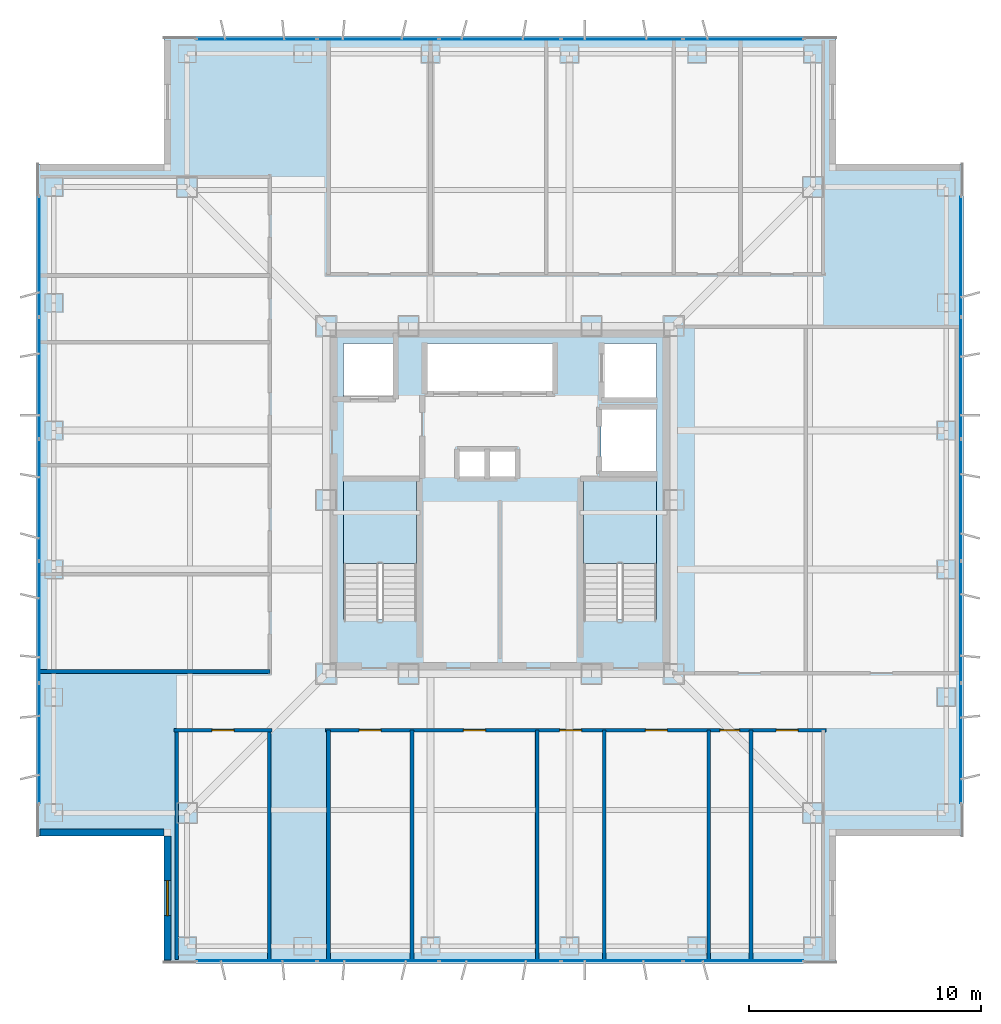
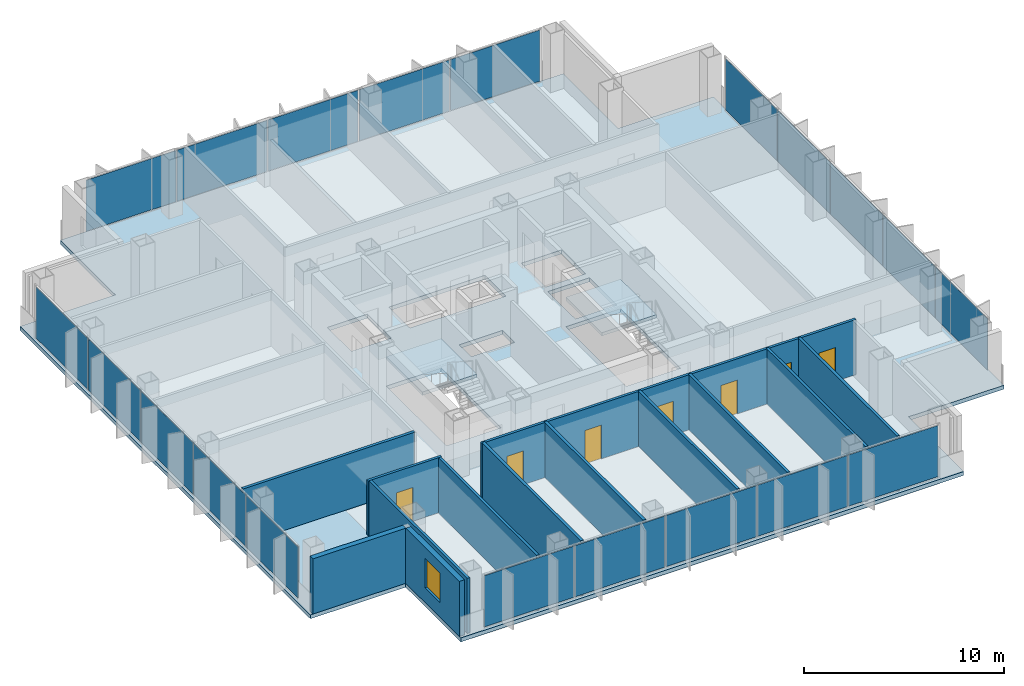
# One storey, part 10 of 18: 20 plates, 13 walls, 7 doors, 3 slabs, 1 window, 8 openings, 6 elements without a shape of their own.
"""IFC4 building model written with IfcOpenShell, lengths in metres."""

import ifcopenshell
import ifcopenshell.guid

model = None  # the IFC model being written
_history = None  # IfcOwnerHistory: only IFC2X3 demands one
_inside = {}  # id of a spatial element -> (the spatial element, [elements in it])
_under = {}  # id of a project, library or spatial element -> (it, [spatial elements below it])
_declared = {}  # id of a project -> (the project, [libraries it declares])
_typed = {}  # id of a type object -> (the type object, [elements of that type])
_made_of = {}  # id of a material, layer set ... -> (it, [elements and type objects made of it])


def new_model(schema):
    """Start an empty IFC model of exactly this schema.

    Asked for "IFC4X3", IfcOpenShell would pick the latest addendum, in which some entities
    have other attributes; the version numbers below select the first issue.
    IFC2X3 requires an IfcOwnerHistory on every rooted entity: one is made here for all.
    """
    global model, _history
    if schema == "IFC4X3":
        model = ifcopenshell.file(schema_version=(4, 3, 0, 0))
    else:
        model = ifcopenshell.file(schema=schema)
    _inside.clear()
    _under.clear()
    _declared.clear()
    _typed.clear()
    _made_of.clear()
    _history = None
    if model.schema == "IFC2X3":
        org = make("IfcOrganization", Name="unknown")
        user = make(
            "IfcPersonAndOrganization",
            ThePerson=make("IfcPerson", FamilyName="unknown"),
            TheOrganization=org,
        )
        app = make(
            "IfcApplication",
            ApplicationDeveloper=org,
            Version="unknown",
            ApplicationFullName="unknown",
            ApplicationIdentifier="unknown",
        )
        _history = make(
            "IfcOwnerHistory",
            OwningUser=user,
            OwningApplication=app,
            ChangeAction="ADDED",
            CreationDate=0,
        )
    return model


def make(cls, **values):
    """One entity of the class cls with the attributes given. An attribute that is None is left unset."""
    return model.create_entity(
        cls, **{name: value for name, value in values.items() if value is not None}
    )


def rooted(cls, **values):
    """An entity with a GlobalId (a new one), such as an element, a storey or a relation."""
    return make(cls, GlobalId=ifcopenshell.guid.new(), OwnerHistory=_history, **values)


def si_unit(unit_type, name, prefix=None):
    """IfcSIUnit, for example si_unit("LENGTHUNIT", "METRE", prefix="MILLI")."""
    return make("IfcSIUnit", UnitType=unit_type, Prefix=prefix, Name=name)


def assignment(units):
    """IfcUnitAssignment: the units of a project."""
    return None if units is None else make("IfcUnitAssignment", Units=units)


def point(xyz):
    """IfcCartesianPoint."""
    return None if xyz is None else make("IfcCartesianPoint", Coordinates=xyz)


def direction(xyz):
    """IfcDirection."""
    return None if xyz is None else make("IfcDirection", DirectionRatios=xyz)


def frame(location, z_axis=None, x_axis=None):
    """IfcAxis2Placement3D, a coordinate frame: its origin and axes. An axis left out is left unset."""
    return make(
        "IfcAxis2Placement3D",
        Location=point(location),
        Axis=direction(z_axis),
        RefDirection=direction(x_axis),
    )


def frame_2d(location, x_axis=None):
    """IfcAxis2Placement2D, a coordinate frame in the plane: its origin and x axis."""
    return make(
        "IfcAxis2Placement2D", Location=point(location), RefDirection=direction(x_axis)
    )


def origin():
    """The frame at (0, 0, 0) with its axes left unset."""
    return frame((0.0, 0.0, 0.0))


def origin_2d():
    """The frame at (0, 0) in the plane with its x axis left unset."""
    return frame_2d((0.0, 0.0))


def place(relative_to, where):
    """IfcLocalPlacement: puts the frame where relative to a parent placement (None: the world)."""
    return make(
        "IfcLocalPlacement", PlacementRelTo=relative_to, RelativePlacement=where
    )


def context(
    kind, dimensions, precision=None, world=None, true_north=None, identifier=None
):
    """IfcGeometricRepresentationContext, for example the 3D "Model" context."""
    return make(
        "IfcGeometricRepresentationContext",
        ContextIdentifier=identifier,
        ContextType=kind,
        CoordinateSpaceDimension=dimensions,
        Precision=precision,
        WorldCoordinateSystem=world,
        TrueNorth=true_north,
    )


def subcontext(parent, identifier, kind, view, scale=None):
    """IfcGeometricRepresentationSubContext, for example "Body" below "Model"."""
    return make(
        "IfcGeometricRepresentationSubContext",
        ContextIdentifier=identifier,
        ContextType=kind,
        ParentContext=parent,
        TargetScale=scale,
        TargetView=view,
    )


def project(units=None, contexts=None):
    """IfcProject with its units and contexts."""
    return rooted(
        "IfcProject",
        Name="project",
        RepresentationContexts=contexts,
        UnitsInContext=assignment(units),
    )


def spatial(cls, under=None, at=None, **own):
    """A site, building, storey or space (cls), placed at a placement, below another one or the project."""
    s = rooted(cls, ObjectPlacement=at, **own)
    if under is not None:
        _under.setdefault(under.id(), (under, []))[1].append(s)
    return s


def polyline(points):
    """IfcPolyline through the points."""
    return make("IfcPolyline", Points=[point(p) for p in points])


def profile(cls, at=None, kind="AREA", **sizes):
    """A parametric profile (cls). Its sizes go by their IFC names, for example OverallWidth=200.0."""
    return make(cls, ProfileType=kind, Position=at, **sizes)


def rectangle(**sizes):
    """IfcRectangleProfileDef."""
    return profile("IfcRectangleProfileDef", **sizes)


def outline(outer, holes=None, kind="AREA"):
    """IfcArbitraryClosedProfileDef: a profile drawn as a closed curve; with holes, ...WithVoids."""
    if holes is None:
        return make("IfcArbitraryClosedProfileDef", ProfileType=kind, OuterCurve=outer)
    return make(
        "IfcArbitraryProfileDefWithVoids",
        ProfileType=kind,
        OuterCurve=outer,
        InnerCurves=holes,
    )


def extrude(swept, where, along, depth):
    """IfcExtrudedAreaSolid: the profile swept, set in the frame where, extruded along a direction by depth."""
    return make(
        "IfcExtrudedAreaSolid",
        SweptArea=swept,
        Position=where,
        ExtrudedDirection=direction(along),
        Depth=depth,
    )


def shape(context_of_items, identifier, shape_type, items):
    """IfcShapeRepresentation: the items that make up one representation, for example the "Body"."""
    return make(
        "IfcShapeRepresentation",
        ContextOfItems=context_of_items,
        RepresentationIdentifier=identifier,
        RepresentationType=shape_type,
        Items=items,
    )


def material(Name=None, Category=None):
    """IfcMaterial."""
    return make("IfcMaterial", Name=Name, Category=Category)


def layer(
    of_material, thickness, ventilated=None, Name=None, Category=None, Priority=None
):
    """IfcMaterialLayer: one layer of a wall or slab, of a material (None: an air gap)."""
    return make(
        "IfcMaterialLayer",
        Material=of_material,
        LayerThickness=thickness,
        IsVentilated=ventilated,
        Name=Name,
        Category=Category,
        Priority=Priority,
    )


def layer_set(layers, Name=None):
    """IfcMaterialLayerSet."""
    return make("IfcMaterialLayerSet", MaterialLayers=layers, LayerSetName=Name)


def made_of(thing, what):
    """Note that an element or type object is made of a material, layer set ...; save() writes the relation."""
    if what is not None:
        _made_of.setdefault(what.id(), (what, []))[1].append(thing)
    return thing


def type_object(cls, material=None, **own):
    """A type object (cls), such as IfcWallType, which elements share."""
    return made_of(rooted(cls, **own), material)


def element(
    cls,
    number,
    at=None,
    inside=None,
    cuts=None,
    type_object=None,
    material=None,
    context=None,
    identifier="Body",
    shape_type=None,
    held_by="IfcProductDefinitionShape",
    body=None,
    shapes=None,
    **own,
):
    """One element of the class cls, such as IfcWall. Its Tag is "e" and its number.

    at: its placement. inside: the storey or other place that contains it. cuts: it is an
    opening in that element (IfcRelVoidsElement). A single representation is given by context,
    identifier, shape_type and body (its items); several are given by shapes. held_by: the class
    of the entity that holds the representations. save() writes the other relations.
    """
    e = rooted(cls, Tag="e%d" % number, ObjectPlacement=at, **own)
    if body is not None:
        shapes = [shape(context, identifier, shape_type, body)]
    if shapes is not None:
        e.Representation = make(held_by, Representations=shapes)
    if inside is not None:
        _inside.setdefault(inside.id(), (inside, []))[1].append(e)
    if cuts is not None:
        rooted(
            "IfcRelVoidsElement", RelatingBuildingElement=cuts, RelatedOpeningElement=e
        )
    if type_object is not None:
        _typed.setdefault(type_object.id(), (type_object, []))[1].append(e)
    return made_of(e, material)


def fill(opening, filler):
    """IfcRelFillsElement: the door or window that sits in an opening."""
    return rooted(
        "IfcRelFillsElement",
        RelatingOpeningElement=opening,
        RelatedBuildingElement=filler,
    )


def aggregate(whole, parts):
    """IfcRelAggregates: a whole, such as a stair, and the parts it consists of."""
    return rooted("IfcRelAggregates", RelatingObject=whole, RelatedObjects=parts)


def save(model, path):
    """Write the relations noted so far, then the file.

    IfcRelAggregates (storeys below a building ...), IfcRelContainedInSpatialStructure (elements
    in a storey), IfcRelDefinesByType, IfcRelAssociatesMaterial and IfcRelDeclares: one each for
    every whole, place, type object, material and project.
    """
    for whole, parts in _under.values():
        aggregate(whole, parts)
    for where, things in _inside.values():
        rooted(
            "IfcRelContainedInSpatialStructure",
            RelatedElements=things,
            RelatingStructure=where,
        )
    for kind, things in _typed.values():
        rooted("IfcRelDefinesByType", RelatedObjects=things, RelatingType=kind)
    for what, things in _made_of.values():
        rooted("IfcRelAssociatesMaterial", RelatedObjects=things, RelatingMaterial=what)
    for by, libraries in _declared.values():
        rooted("IfcRelDeclares", RelatingContext=by, RelatedDefinitions=libraries)
    model.write(path)


model = new_model("IFC4")

# Units and contexts
model_context = context("Model", 3, precision=1e-05, world=origin(), true_north=direction((0.0, 1.0)))
body_context = subcontext(model_context, "Body", "Model", "MODEL_VIEW")
ifc_project = project(units=[si_unit("LENGTHUNIT", "METRE"), si_unit("AREAUNIT", "SQUARE_METRE"), si_unit("VOLUMEUNIT", "CUBIC_METRE"), si_unit("PLANEANGLEUNIT", "RADIAN"), si_unit("MASSUNIT", "GRAM", prefix="KILO")], contexts=[model_context])

# Site, building, storey
site_placement = place(None, origin())
site = spatial("IfcSite", under=ifc_project, at=site_placement, CompositionType="ELEMENT")
building_placement = place(site_placement, origin())
building = spatial("IfcBuilding", under=site, at=building_placement, Name="Trevonay Congress Spire", CompositionType="ELEMENT")
storey_placement = place(building_placement, frame((0.0, 0.0, 173.39990234375)))
storey = spatial("IfcBuildingStorey", under=building, at=storey_placement, Name="L44", CompositionType="ELEMENT", Elevation=173.39990234375)

# Curtain wall, plates
ifc_material_1 = material(Name="Pale Anodised Aluminium EN AW-6063-T6", Category="aluminium")
ifc_layer_1 = layer(ifc_material_1, 0.169921875, Name="Pale Anodised Aluminium EN AW-6063-T6")
ifc_layer_set_1 = layer_set([ifc_layer_1], Name="Pale Anodised Aluminium EN AW-6063-T6")
curtain_wall_type = type_object("IfcCurtainWallType", Name="CW-SYS04-CORP-PALE-METAL", PredefinedType="NOTDEFINED", material=ifc_layer_set_1)
curtain_wall_1_placement = place(storey_placement, origin())
curtain_wall_1 = element("IfcCurtainWall", 1, at=curtain_wall_1_placement, inside=storey, type_object=curtain_wall_type, Name="L44 S unitised curtain wall", PredefinedType="NOTDEFINED")
ifc_material_2 = material(Name="Insulated Low-E Vision Glass IGU", Category="glass")
ifc_layer_2 = layer(ifc_material_2, 0.035888671875, Name="Insulated Low-E Vision Glass IGU")
ifc_layer_set_2 = layer_set([ifc_layer_2], Name="Insulated Low-E Vision Glass IGU")
plate_type = type_object("IfcPlateType", Name="CW-PANEL-IGU36-SILVER", PredefinedType="CURTAIN_PANEL", material=ifc_layer_set_2)
plate_1_placement = place(storey_placement, frame((-10.5048828125, -19.8798828125, 0.1201171875), z_axis=(0.0, 0.0, 1.0), x_axis=(1.0, 0.0, 0.0)))
plate_1 = element("IfcPlate", 2, at=plate_1_placement, type_object=plate_type, Name="CW04 panel 1.1", PredefinedType="CURTAIN_PANEL", context=body_context, shape_type="SweptSolid", body=[
    extrude(rectangle(XDim=5.169921875, YDim=0.035888671875, at=origin_2d()), origin(), (0.0, 0.0, 1.0), 3.1201171875),
])
plate_2_placement = place(storey_placement, frame((-5.260009765625, -19.8798828125, 0.1201171875), z_axis=(0.0, 0.0, 1.0), x_axis=(1.0, 0.0, 0.0)))
plate_2 = element("IfcPlate", 3, at=plate_2_placement, type_object=plate_type, Name="CW04 panel 2.1", PredefinedType="CURTAIN_PANEL", context=body_context, shape_type="SweptSolid", body=[
    extrude(rectangle(XDim=5.199951171875, YDim=0.035888671875, at=origin_2d()), origin(), (0.0, 0.0, 1.0), 3.1201171875),
])
plate_3_placement = place(storey_placement, frame((0.0, -19.8798828125, 0.1201171875), z_axis=(0.0, 0.0, 1.0), x_axis=(1.0, 0.0, 0.0)))
plate_3 = element("IfcPlate", 4, at=plate_3_placement, type_object=plate_type, Name="CW04 panel 3.1", PredefinedType="CURTAIN_PANEL", context=body_context, shape_type="SweptSolid", body=[
    extrude(rectangle(XDim=5.199951171875, YDim=0.035888671875, at=origin_2d()), origin(), (0.0, 0.0, 1.0), 3.1201171875),
])
plate_4_placement = place(storey_placement, frame((5.260009765625, -19.8798828125, 0.1201171875), z_axis=(0.0, 0.0, 1.0), x_axis=(1.0, 0.0, 0.0)))
plate_4 = element("IfcPlate", 5, at=plate_4_placement, type_object=plate_type, Name="CW04 panel 4.1", PredefinedType="CURTAIN_PANEL", context=body_context, shape_type="SweptSolid", body=[
    extrude(rectangle(XDim=5.199951171875, YDim=0.035888671875, at=origin_2d()), origin(), (0.0, 0.0, 1.0), 3.1201171875),
])
plate_5_placement = place(storey_placement, frame((10.5048828125, -19.8798828125, 0.1201171875), z_axis=(0.0, 0.0, 1.0), x_axis=(1.0, 0.0, 0.0)))
plate_5 = element("IfcPlate", 6, at=plate_5_placement, type_object=plate_type, Name="CW04 panel 5.1", PredefinedType="CURTAIN_PANEL", context=body_context, shape_type="SweptSolid", body=[
    extrude(rectangle(XDim=5.169921875, YDim=0.035888671875, at=origin_2d()), origin(), (0.0, 0.0, 1.0), 3.1201171875),
])
aggregate(curtain_wall_1, [plate_1, plate_2, plate_3, plate_4, plate_5])

curtain_wall_2_placement = place(storey_placement, origin())
curtain_wall_2 = element("IfcCurtainWall", 7, at=curtain_wall_2_placement, inside=storey, type_object=curtain_wall_type, Name="L44 N unitised curtain wall", PredefinedType="NOTDEFINED")
plate_6_placement = place(storey_placement, frame((-10.5048828125, 19.8798828125, 0.1201171875), z_axis=(0.0, 0.0, 1.0), x_axis=(1.0, 0.0, 0.0)))
plate_6 = element("IfcPlate", 8, at=plate_6_placement, type_object=plate_type, Name="CW04 panel 1.1", PredefinedType="CURTAIN_PANEL", context=body_context, shape_type="SweptSolid", body=[
    extrude(rectangle(XDim=5.169921875, YDim=0.035888671875, at=origin_2d()), origin(), (0.0, 0.0, 1.0), 3.1201171875),
])
plate_7_placement = place(storey_placement, frame((-5.260009765625, 19.8798828125, 0.1201171875), z_axis=(0.0, 0.0, 1.0), x_axis=(1.0, 0.0, 0.0)))
plate_7 = element("IfcPlate", 9, at=plate_7_placement, type_object=plate_type, Name="CW04 panel 2.1", PredefinedType="CURTAIN_PANEL", context=body_context, shape_type="SweptSolid", body=[
    extrude(rectangle(XDim=5.199951171875, YDim=0.035888671875, at=origin_2d()), origin(), (0.0, 0.0, 1.0), 3.1201171875),
])
plate_8_placement = place(storey_placement, frame((0.0, 19.8798828125, 0.1201171875), z_axis=(0.0, 0.0, 1.0), x_axis=(1.0, 0.0, 0.0)))
plate_8 = element("IfcPlate", 10, at=plate_8_placement, type_object=plate_type, Name="CW04 panel 3.1", PredefinedType="CURTAIN_PANEL", context=body_context, shape_type="SweptSolid", body=[
    extrude(rectangle(XDim=5.199951171875, YDim=0.035888671875, at=origin_2d()), origin(), (0.0, 0.0, 1.0), 3.1201171875),
])
plate_9_placement = place(storey_placement, frame((5.260009765625, 19.8798828125, 0.1201171875), z_axis=(0.0, 0.0, 1.0), x_axis=(1.0, 0.0, 0.0)))
plate_9 = element("IfcPlate", 11, at=plate_9_placement, type_object=plate_type, Name="CW04 panel 4.1", PredefinedType="CURTAIN_PANEL", context=body_context, shape_type="SweptSolid", body=[
    extrude(rectangle(XDim=5.199951171875, YDim=0.035888671875, at=origin_2d()), origin(), (0.0, 0.0, 1.0), 3.1201171875),
])
plate_10_placement = place(storey_placement, frame((10.5048828125, 19.8798828125, 0.1201171875), z_axis=(0.0, 0.0, 1.0), x_axis=(1.0, 0.0, 0.0)))
plate_10 = element("IfcPlate", 12, at=plate_10_placement, type_object=plate_type, Name="CW04 panel 5.1", PredefinedType="CURTAIN_PANEL", context=body_context, shape_type="SweptSolid", body=[
    extrude(rectangle(XDim=5.169921875, YDim=0.035888671875, at=origin_2d()), origin(), (0.0, 0.0, 1.0), 3.1201171875),
])
aggregate(curtain_wall_2, [plate_6, plate_7, plate_8, plate_9, plate_10])

curtain_wall_3_placement = place(storey_placement, origin())
curtain_wall_3 = element("IfcCurtainWall", 13, at=curtain_wall_3_placement, inside=storey, type_object=curtain_wall_type, Name="L44 W unitised curtain wall", PredefinedType="NOTDEFINED")
plate_11_placement = place(storey_placement, frame((-19.8798828125, -10.5048828125, 0.1201171875), z_axis=(0.0, 0.0, 1.0), x_axis=(0.0, 1.0, 0.0)))
plate_11 = element("IfcPlate", 14, at=plate_11_placement, type_object=plate_type, Name="CW04 panel 1.1", PredefinedType="CURTAIN_PANEL", context=body_context, shape_type="SweptSolid", body=[
    extrude(rectangle(XDim=5.169921875, YDim=0.035888671875, at=origin_2d()), origin(), (0.0, 0.0, 1.0), 3.1201171875),
])
plate_12_placement = place(storey_placement, frame((-19.8798828125, -5.260009765625, 0.1201171875), z_axis=(0.0, 0.0, 1.0), x_axis=(0.0, 1.0, 0.0)))
plate_12 = element("IfcPlate", 15, at=plate_12_placement, type_object=plate_type, Name="CW04 panel 2.1", PredefinedType="CURTAIN_PANEL", context=body_context, shape_type="SweptSolid", body=[
    extrude(rectangle(XDim=5.199951171875, YDim=0.035888671875, at=origin_2d()), origin(), (0.0, 0.0, 1.0), 3.1201171875),
])
plate_13_placement = place(storey_placement, frame((-19.8798828125, 0.0, 0.1201171875), z_axis=(0.0, 0.0, 1.0), x_axis=(0.0, 1.0, 0.0)))
plate_13 = element("IfcPlate", 16, at=plate_13_placement, type_object=plate_type, Name="CW04 panel 3.1", PredefinedType="CURTAIN_PANEL", context=body_context, shape_type="SweptSolid", body=[
    extrude(rectangle(XDim=5.199951171875, YDim=0.035888671875, at=origin_2d()), origin(), (0.0, 0.0, 1.0), 3.1201171875),
])
plate_14_placement = place(storey_placement, frame((-19.8798828125, 5.260009765625, 0.1201171875), z_axis=(0.0, 0.0, 1.0), x_axis=(0.0, 1.0, 0.0)))
plate_14 = element("IfcPlate", 17, at=plate_14_placement, type_object=plate_type, Name="CW04 panel 4.1", PredefinedType="CURTAIN_PANEL", context=body_context, shape_type="SweptSolid", body=[
    extrude(rectangle(XDim=5.199951171875, YDim=0.035888671875, at=origin_2d()), origin(), (0.0, 0.0, 1.0), 3.1201171875),
])
plate_15_placement = place(storey_placement, frame((-19.8798828125, 10.5048828125, 0.1201171875), z_axis=(0.0, 0.0, 1.0), x_axis=(0.0, 1.0, 0.0)))
plate_15 = element("IfcPlate", 18, at=plate_15_placement, type_object=plate_type, Name="CW04 panel 5.1", PredefinedType="CURTAIN_PANEL", context=body_context, shape_type="SweptSolid", body=[
    extrude(rectangle(XDim=5.169921875, YDim=0.035888671875, at=origin_2d()), origin(), (0.0, 0.0, 1.0), 3.1201171875),
])
aggregate(curtain_wall_3, [plate_11, plate_12, plate_13, plate_14, plate_15])

curtain_wall_4_placement = place(storey_placement, origin())
curtain_wall_4 = element("IfcCurtainWall", 19, at=curtain_wall_4_placement, inside=storey, type_object=curtain_wall_type, Name="L44 E unitised curtain wall", PredefinedType="NOTDEFINED")
plate_16_placement = place(storey_placement, frame((19.8798828125, -10.5048828125, 0.1201171875), z_axis=(0.0, 0.0, 1.0), x_axis=(0.0, 1.0, 0.0)))
plate_16 = element("IfcPlate", 20, at=plate_16_placement, type_object=plate_type, Name="CW04 panel 1.1", PredefinedType="CURTAIN_PANEL", context=body_context, shape_type="SweptSolid", body=[
    extrude(rectangle(XDim=5.169921875, YDim=0.035888671875, at=origin_2d()), origin(), (0.0, 0.0, 1.0), 3.1201171875),
])
plate_17_placement = place(storey_placement, frame((19.8798828125, -5.260009765625, 0.1201171875), z_axis=(0.0, 0.0, 1.0), x_axis=(0.0, 1.0, 0.0)))
plate_17 = element("IfcPlate", 21, at=plate_17_placement, type_object=plate_type, Name="CW04 panel 2.1", PredefinedType="CURTAIN_PANEL", context=body_context, shape_type="SweptSolid", body=[
    extrude(rectangle(XDim=5.199951171875, YDim=0.035888671875, at=origin_2d()), origin(), (0.0, 0.0, 1.0), 3.1201171875),
])
plate_18_placement = place(storey_placement, frame((19.8798828125, 0.0, 0.1201171875), z_axis=(0.0, 0.0, 1.0), x_axis=(0.0, 1.0, 0.0)))
plate_18 = element("IfcPlate", 22, at=plate_18_placement, type_object=plate_type, Name="CW04 panel 3.1", PredefinedType="CURTAIN_PANEL", context=body_context, shape_type="SweptSolid", body=[
    extrude(rectangle(XDim=5.199951171875, YDim=0.035888671875, at=origin_2d()), origin(), (0.0, 0.0, 1.0), 3.1201171875),
])
plate_19_placement = place(storey_placement, frame((19.8798828125, 5.260009765625, 0.1201171875), z_axis=(0.0, 0.0, 1.0), x_axis=(0.0, 1.0, 0.0)))
plate_19 = element("IfcPlate", 23, at=plate_19_placement, type_object=plate_type, Name="CW04 panel 4.1", PredefinedType="CURTAIN_PANEL", context=body_context, shape_type="SweptSolid", body=[
    extrude(rectangle(XDim=5.199951171875, YDim=0.035888671875, at=origin_2d()), origin(), (0.0, 0.0, 1.0), 3.1201171875),
])
plate_20_placement = place(storey_placement, frame((19.8798828125, 10.5048828125, 0.1201171875), z_axis=(0.0, 0.0, 1.0), x_axis=(0.0, 1.0, 0.0)))
plate_20 = element("IfcPlate", 24, at=plate_20_placement, type_object=plate_type, Name="CW04 panel 5.1", PredefinedType="CURTAIN_PANEL", context=body_context, shape_type="SweptSolid", body=[
    extrude(rectangle(XDim=5.169921875, YDim=0.035888671875, at=origin_2d()), origin(), (0.0, 0.0, 1.0), 3.1201171875),
])
aggregate(curtain_wall_4, [plate_16, plate_17, plate_18, plate_19, plate_20])

# Stair, slab
ifc_material_3 = material(Name="Concrete C40/50", Category="concrete")
stair_type_1 = type_object("IfcStairType", Name="STR-ST-1", PredefinedType="HALF_TURN_STAIR", material=ifc_material_3)
stair_1_placement = place(storey_placement, origin())
stair_1 = element("IfcStair", 25, at=stair_1_placement, inside=storey, type_object=stair_type_1, Name="L44 Protected Exit Stair ST-1", PredefinedType="HALF_TURN_STAIR")
ifc_layer_3 = layer(ifc_material_3, 0.199951171875, Name="Concrete C40/50")
ifc_layer_set_3 = layer_set([ifc_layer_3], Name="Concrete C40/50")
slab_type_1 = type_object("IfcSlabType", Name="SLB-STAIR-LAND-200", PredefinedType="LANDING", material=ifc_layer_set_3)
slab_1_placement = place(storey_placement, frame((0.0, 0.0, 1.60009765625)))
slab_1 = element("IfcSlab", 26, at=slab_1_placement, type_object=slab_type_1, Name="ST-1 landing 1", PredefinedType="LANDING", context=body_context, shape_type="SweptSolid", body=[
    extrude(outline(polyline([(-3.60009765625, -2.72998046875), (-3.60009765625, 0.85009765625), (-6.75, 0.85009765625), (-6.75, -2.72998046875), (-3.60009765625, -2.72998046875)])), origin(), (0.0, 0.0, 1.0), 0.199951171875),
])
aggregate(stair_1, [slab_1])

stair_type_2 = type_object("IfcStairType", Name="STR-ST-2", PredefinedType="HALF_TURN_STAIR", material=ifc_material_3)
stair_2_placement = place(storey_placement, origin())
stair_2 = element("IfcStair", 27, at=stair_2_placement, inside=storey, type_object=stair_type_2, Name="L44 Protected Exit Stair ST-2", PredefinedType="HALF_TURN_STAIR")
slab_2_placement = place(storey_placement, frame((0.0, 0.0, 1.60009765625)))
slab_2 = element("IfcSlab", 28, at=slab_2_placement, type_object=slab_type_1, Name="ST-2 landing 1", PredefinedType="LANDING", context=body_context, shape_type="SweptSolid", body=[
    extrude(outline(polyline([(6.75, -2.72998046875), (6.75, 0.85009765625), (3.60009765625, 0.85009765625), (3.60009765625, -2.72998046875), (6.75, -2.72998046875)])), origin(), (0.0, 0.0, 1.0), 0.199951171875),
])
aggregate(stair_2, [slab_2])

# Slab
ifc_layer_4 = layer(ifc_material_3, 0.239990234375, Name="Concrete C40/50")
ifc_layer_set_4 = layer_set([ifc_layer_4], Name="Concrete C40/50")
slab_type_2 = type_object("IfcSlabType", Name="SLB-TOW2-240", PredefinedType="FLOOR", material=ifc_layer_set_4)
slab_3_placement = place(storey_placement, frame((0.0, 0.0, -0.239990234375)))
element("IfcSlab", 29, at=slab_3_placement, inside=storey, type_object=slab_type_2, Name="L44 structural floor slab", PredefinedType="FLOOR", context=body_context, shape_type="SweptSolid", body=[
    extrude(outline(polyline([(-14.5, -20.0), (14.5, -20.0), (14.5, -14.5), (20.0, -14.5), (20.0, 14.5), (14.5, 14.5), (14.5, 20.0), (-14.5, 20.0), (-14.5, 14.5), (-20.0, 14.5), (-20.0, -14.5), (-14.5, -14.5), (-14.5, -20.0)]), holes=[polyline([(-3.60009765625, -5.14990234375), (-3.60009765625, 0.85009765625), (-6.75, 0.85009765625), (-6.75, -5.14990234375), (-3.60009765625, -5.14990234375)]), polyline([(6.75, -5.14990234375), (6.75, 0.85009765625), (3.60009765625, 0.85009765625), (3.60009765625, -5.14990234375), (6.75, -5.14990234375)]), polyline([(-3.199951171875, 4.64990234375), (2.340087890625, 4.64990234375), (2.340087890625, 6.75), (-3.199951171875, 6.75), (-3.199951171875, 4.64990234375)]), polyline([(-6.75, 4.35009765625), (-4.449951171875, 4.35009765625), (-4.449951171875, 6.75), (-6.75, 6.75), (-6.75, 4.35009765625)]), polyline([(4.449951171875, 4.35009765625), (6.75, 4.35009765625), (6.75, 6.75), (4.449951171875, 6.75), (4.449951171875, 4.35009765625)]), polyline([(4.35009765625, 1.199951171875), (6.75, 1.199951171875), (6.75, 3.949951171875), (4.35009765625, 3.949951171875), (4.35009765625, 1.199951171875)]), polyline([(-1.800048828125, 0.949951171875), (0.699951171875, 0.949951171875), (0.699951171875, 2.14990234375), (-1.800048828125, 2.14990234375), (-1.800048828125, 0.949951171875)])]), origin(), (0.0, 0.0, 1.0), 0.239990234375),
])

# Wall, opening, door
ifc_layer_5 = layer(ifc_material_3, 0.14990234375, Name="Concrete C40/50")
ifc_layer_set_5 = layer_set([ifc_layer_5], Name="Concrete C40/50")
wall_type_1 = type_object("IfcWallType", Name="WAL-CORR-150", PredefinedType="PARTITIONING", material=ifc_layer_set_5)
wall_1_placement = place(storey_placement, frame((-14.070068359375, -9.929931640625, 0.0), z_axis=(0.0, 0.0, 1.0), x_axis=(1.0, 0.0, 0.0)))
wall_1 = element("IfcWall", 30, at=wall_1_placement, inside=storey, type_object=wall_type_1, Name="L44 interior wall WP-L44SW-COR", PredefinedType="PARTITIONING", context=body_context, shape_type="SweptSolid", body=[
    extrude(rectangle(XDim=4.239990234375, YDim=0.14990234375, at=frame_2d((2.1201171875, 0.0))), origin(), (0.0, 0.0, 1.0), 3.360107421875),
])
opening_1_placement = place(wall_1_placement, frame((1.64501953125, 0.0, 0.0)))
opening_1 = element("IfcOpeningElement", 31, at=opening_1_placement, cuts=wall_1, Name="Opening D07", PredefinedType="OPENING", context=body_context, shape_type="SweptSolid", body=[
    extrude(rectangle(XDim=0.949951171875, YDim=2.06005859375, at=frame_2d((0.47509765625, 1.030029296875))), frame((0.0, 0.0849609375, 0.0), z_axis=(0.0, -1.0, 0.0), x_axis=(1.0, 0.0, 0.0)), (0.0, 0.0, 1.0), 0.169921875),
])
door_type_1 = type_object("IfcDoorType", Name="DOR-OFFICE-95", OperationType="NOTDEFINED", PredefinedType="DOOR", material=ifc_material_1)
door_1_placement = place(opening_1_placement, origin())
door_1 = element("IfcDoor", 32, at=door_1_placement, inside=storey, type_object=door_type_1, Name="L44 Senior Partner Corner Office Door", OperationType="SINGLE_SWING_RIGHT", OverallHeight=2.06005859375, OverallWidth=0.949951171875, PredefinedType="DOOR", context=body_context, shape_type="SweptSolid", body=[
    extrude(rectangle(XDim=0.949951171875, YDim=2.06005859375, at=frame_2d((0.47509765625, 1.030029296875))), frame((0.0, 0.02490234375, 0.0), z_axis=(0.0, -1.0, 0.0), x_axis=(1.0, 0.0, 0.0)), (0.0, 0.0, 1.0), 0.050048828125),
])
fill(opening_1, door_1)

# Wall, openings, doors
wall_2_placement = place(storey_placement, frame((-7.52001953125, -9.929931640625, 0.0), z_axis=(0.0, 0.0, 1.0), x_axis=(1.0, 0.0, 0.0)))
wall_2 = element("IfcWall", 33, at=wall_2_placement, inside=storey, type_object=wall_type_1, Name="L44 interior wall WP-L44SE-COR", PredefinedType="PARTITIONING", context=body_context, shape_type="SweptSolid", body=[
    extrude(rectangle(XDim=21.590087890625, YDim=0.14990234375, at=frame_2d((10.794921875, 0.0))), origin(), (0.0, 0.0, 1.0), 3.360107421875),
])
opening_2_placement = place(wall_2_placement, frame((1.445068359375, 0.0, 0.0)))
opening_2 = element("IfcOpeningElement", 34, at=opening_2_placement, cuts=wall_2, Name="Opening D07", PredefinedType="OPENING", context=body_context, shape_type="SweptSolid", body=[
    extrude(rectangle(XDim=0.949951171875, YDim=2.06005859375, at=frame_2d((0.47509765625, 1.030029296875))), frame((0.0, 0.0849609375, 0.0), z_axis=(0.0, -1.0, 0.0), x_axis=(1.0, 0.0, 0.0)), (0.0, 0.0, 1.0), 0.169921875),
])
opening_3_placement = place(wall_2_placement, frame((5.945068359375, 0.0, 0.0)))
opening_3 = element("IfcOpeningElement", 35, at=opening_3_placement, cuts=wall_2, Name="Opening D07", PredefinedType="OPENING", context=body_context, shape_type="SweptSolid", body=[
    extrude(rectangle(XDim=0.949951171875, YDim=2.06005859375, at=frame_2d((0.47509765625, 1.030029296875))), frame((0.0, 0.0849609375, 0.0), z_axis=(0.0, -1.0, 0.0), x_axis=(1.0, 0.0, 0.0)), (0.0, 0.0, 1.0), 0.169921875),
])
opening_4_placement = place(wall_2_placement, frame((10.094970703125, 0.0, 0.0)))
opening_4 = element("IfcOpeningElement", 36, at=opening_4_placement, cuts=wall_2, Name="Opening D07", PredefinedType="OPENING", context=body_context, shape_type="SweptSolid", body=[
    extrude(rectangle(XDim=0.949951171875, YDim=2.06005859375, at=frame_2d((0.47509765625, 1.030029296875))), frame((0.0, 0.0849609375, 0.0), z_axis=(0.0, -1.0, 0.0), x_axis=(1.0, 0.0, 0.0)), (0.0, 0.0, 1.0), 0.169921875),
])
opening_5_placement = place(wall_2_placement, frame((13.794921875, 0.0, 0.0)))
opening_5 = element("IfcOpeningElement", 37, at=opening_5_placement, cuts=wall_2, Name="Opening D07", PredefinedType="OPENING", context=body_context, shape_type="SweptSolid", body=[
    extrude(rectangle(XDim=0.949951171875, YDim=2.06005859375, at=frame_2d((0.47509765625, 1.030029296875))), frame((0.0, 0.0849609375, 0.0), z_axis=(0.0, -1.0, 0.0), x_axis=(1.0, 0.0, 0.0)), (0.0, 0.0, 1.0), 0.169921875),
])
opening_6_placement = place(wall_2_placement, frame((17.010009765625, 0.0, 0.0)))
opening_6 = element("IfcOpeningElement", 38, at=opening_6_placement, cuts=wall_2, Name="Opening D10", PredefinedType="OPENING", context=body_context, shape_type="SweptSolid", body=[
    extrude(rectangle(XDim=0.85009765625, YDim=2.050048828125, at=frame_2d((0.425048828125, 1.02490234375))), frame((0.0, 0.0849609375, 0.0), z_axis=(0.0, -1.0, 0.0), x_axis=(1.0, 0.0, 0.0)), (0.0, 0.0, 1.0), 0.169921875),
])
opening_7_placement = place(wall_2_placement, frame((19.43505859375, 0.0, 0.0)))
opening_7 = element("IfcOpeningElement", 39, at=opening_7_placement, cuts=wall_2, Name="Opening D07", PredefinedType="OPENING", context=body_context, shape_type="SweptSolid", body=[
    extrude(rectangle(XDim=0.949951171875, YDim=2.06005859375, at=frame_2d((0.47509765625, 1.030029296875))), frame((0.0, 0.0849609375, 0.0), z_axis=(0.0, -1.0, 0.0), x_axis=(1.0, 0.0, 0.0)), (0.0, 0.0, 1.0), 0.169921875),
])
door_2_placement = place(opening_2_placement, origin())
door_2 = element("IfcDoor", 40, at=door_2_placement, inside=storey, type_object=door_type_1, Name="L44 Admiralty Law Office 1 Door", OperationType="SINGLE_SWING_LEFT", OverallHeight=2.06005859375, OverallWidth=0.949951171875, PredefinedType="DOOR", context=body_context, shape_type="SweptSolid", body=[
    extrude(rectangle(XDim=0.949951171875, YDim=2.06005859375, at=frame_2d((0.47509765625, 1.030029296875))), frame((0.0, 0.02490234375, 0.0), z_axis=(0.0, -1.0, 0.0), x_axis=(1.0, 0.0, 0.0)), (0.0, 0.0, 1.0), 0.050048828125),
])
fill(opening_2, door_2)
door_3_placement = place(opening_3_placement, origin())
door_3 = element("IfcDoor", 41, at=door_3_placement, inside=storey, type_object=door_type_1, Name="L44 Admiralty Law Office 2 Door", OperationType="SINGLE_SWING_RIGHT", OverallHeight=2.06005859375, OverallWidth=0.949951171875, PredefinedType="DOOR", context=body_context, shape_type="SweptSolid", body=[
    extrude(rectangle(XDim=0.949951171875, YDim=2.06005859375, at=frame_2d((0.47509765625, 1.030029296875))), frame((0.0, 0.02490234375, 0.0), z_axis=(0.0, -1.0, 0.0), x_axis=(1.0, 0.0, 0.0)), (0.0, 0.0, 1.0), 0.050048828125),
])
fill(opening_3, door_3)
door_4_placement = place(opening_4_placement, origin())
door_4 = element("IfcDoor", 42, at=door_4_placement, inside=storey, type_object=door_type_1, Name="L44 Marine Insurance Office 3 Door", OperationType="SINGLE_SWING_LEFT", OverallHeight=2.06005859375, OverallWidth=0.949951171875, PredefinedType="DOOR", context=body_context, shape_type="SweptSolid", body=[
    extrude(rectangle(XDim=0.949951171875, YDim=2.06005859375, at=frame_2d((0.47509765625, 1.030029296875))), frame((0.0, 0.02490234375, 0.0), z_axis=(0.0, -1.0, 0.0), x_axis=(1.0, 0.0, 0.0)), (0.0, 0.0, 1.0), 0.050048828125),
])
fill(opening_4, door_4)
door_5_placement = place(opening_5_placement, origin())
door_5 = element("IfcDoor", 43, at=door_5_placement, inside=storey, type_object=door_type_1, Name="L44 Paralegal Office 4 Door", OperationType="SINGLE_SWING_RIGHT", OverallHeight=2.06005859375, OverallWidth=0.949951171875, PredefinedType="DOOR", context=body_context, shape_type="SweptSolid", body=[
    extrude(rectangle(XDim=0.949951171875, YDim=2.06005859375, at=frame_2d((0.47509765625, 1.030029296875))), frame((0.0, 0.02490234375, 0.0), z_axis=(0.0, -1.0, 0.0), x_axis=(1.0, 0.0, 0.0)), (0.0, 0.0, 1.0), 0.050048828125),
])
fill(opening_5, door_5)
door_6_placement = place(opening_7_placement, origin())
door_6 = element("IfcDoor", 44, at=door_6_placement, inside=storey, type_object=door_type_1, Name="L44 Floor Supplies and Copy Room Door", OperationType="SINGLE_SWING_RIGHT", OverallHeight=2.06005859375, OverallWidth=0.949951171875, PredefinedType="DOOR", context=body_context, shape_type="SweptSolid", body=[
    extrude(rectangle(XDim=0.949951171875, YDim=2.06005859375, at=frame_2d((0.47509765625, 1.030029296875))), frame((0.0, 0.02490234375, 0.0), z_axis=(0.0, -1.0, 0.0), x_axis=(1.0, 0.0, 0.0)), (0.0, 0.0, 1.0), 0.050048828125),
])
fill(opening_7, door_6)
door_type_2 = type_object("IfcDoorType", Name="DOR-WC-85", OperationType="NOTDEFINED", PredefinedType="DOOR", material=ifc_material_1)
door_7_placement = place(opening_6_placement, origin())
door_7 = element("IfcDoor", 45, at=door_7_placement, inside=storey, type_object=door_type_2, Name="L44 Accessible WC Door", OperationType="SINGLE_SWING_LEFT", OverallHeight=2.050048828125, OverallWidth=0.85009765625, PredefinedType="DOOR", context=body_context, shape_type="SweptSolid", body=[
    extrude(rectangle(XDim=0.85009765625, YDim=2.050048828125, at=frame_2d((0.425048828125, 1.02490234375))), frame((0.0, 0.02490234375, 0.0), z_axis=(0.0, -1.0, 0.0), x_axis=(1.0, 0.0, 0.0)), (0.0, 0.0, 1.0), 0.050048828125),
])
fill(opening_6, door_7)

# Wall, opening, window
ifc_material_4 = material(Name="Precast concrete C40/50", Category="concrete")
ifc_layer_6 = layer(ifc_material_4, 0.300048828125, Name="Precast concrete C40/50")
ifc_layer_set_6 = layer_set([ifc_layer_6], Name="Precast concrete C40/50")
wall_type_2 = type_object("IfcWallType", Name="WAL-EXT-PRECAST-300", PredefinedType="SOLIDWALL", material=ifc_layer_set_6)
wall_3_placement = place(storey_placement, frame((-14.35009765625, -19.85009765625, 0.0), z_axis=(0.0, 0.0, 1.0), x_axis=(0.0, 1.0, 0.0)))
wall_3 = element("IfcWall", 46, at=wall_3_placement, inside=storey, type_object=wall_type_2, Name="L44 SW re-entrant notch exterior wall 1", PredefinedType="SOLIDWALL", context=body_context, shape_type="SweptSolid", body=[
    extrude(rectangle(XDim=5.35009765625, YDim=0.300048828125, at=frame_2d((2.675048828125, 0.0))), origin(), (0.0, 0.0, 1.0), 3.360107421875),
])
opening_8_placement = place(wall_3_placement, frame((1.925048828125, 0.0, 0.89990234375)))
opening_8 = element("IfcOpeningElement", 47, at=opening_8_placement, cuts=wall_3, Name="Opening WN03", PredefinedType="OPENING", context=body_context, shape_type="SweptSolid", body=[
    extrude(rectangle(XDim=1.5, YDim=1.800048828125, at=frame_2d((0.75, 0.89990234375))), frame((0.0, 0.16015625, 0.0), z_axis=(0.0, -1.0, 0.0), x_axis=(1.0, 0.0, 0.0)), (0.0, 0.0, 1.0), 0.320068359375),
])
window_type = type_object("IfcWindowType", Name="WIN-NOTCH-150X180", PartitioningType="SINGLE_PANEL", PredefinedType="WINDOW", material=ifc_material_2)
window_placement = place(opening_8_placement, origin())
window = element("IfcWindow", 48, at=window_placement, inside=storey, type_object=window_type, Name="L44 SW corner notch window", OverallHeight=1.800048828125, OverallWidth=1.5, PartitioningType="SINGLE_PANEL", PredefinedType="WINDOW", context=body_context, shape_type="SweptSolid", body=[
    extrude(rectangle(XDim=1.5, YDim=1.800048828125, at=frame_2d((0.75, 0.89990234375))), frame((0.0, 0.030029296875, 0.0), z_axis=(0.0, -1.0, 0.0), x_axis=(1.0, 0.0, 0.0)), (0.0, 0.0, 1.0), 0.06005859375),
])
fill(opening_8, window)

# Walls
wall_4_placement = place(storey_placement, frame((-19.85009765625, -14.35009765625, 0.0), z_axis=(0.0, 0.0, 1.0), x_axis=(1.0, 0.0, 0.0)))
element("IfcWall", 49, at=wall_4_placement, inside=storey, type_object=wall_type_2, Name="L44 SW re-entrant notch exterior wall 2", PredefinedType="SOLIDWALL", context=body_context, shape_type="SweptSolid", body=[
    extrude(rectangle(XDim=5.35009765625, YDim=0.300048828125, at=frame_2d((2.675048828125, 0.0))), origin(), (0.0, 0.0, 1.0), 3.360107421875),
])
ifc_layer_7 = layer(ifc_material_3, 0.14990234375, Name="Concrete C40/50")
ifc_layer_set_7 = layer_set([ifc_layer_7], Name="Concrete C40/50")
wall_type_3 = type_object("IfcWallType", Name="WAL-PART-150", PredefinedType="PARTITIONING", material=ifc_layer_set_7)
for number, where, z_axis, x_axis, name in (
    (50, (-13.949951171875, -19.820068359375, 0.0), (0.0, 0.0, 1.0), (0.0, 1.0, 0.0), "L44 interior wall WP-L44SW-DIV1"),
    (51, (-9.949951171875, -19.820068359375, 0.0), (0.0, 0.0, 1.0), (0.0, 1.0, 0.0), "L44 interior wall WP-L44SW-DIV2"),
    (52, (1.60009765625, -19.820068359375, 0.0), (0.0, 0.0, 1.0), (0.0, 1.0, 0.0), "L44 interior wall WP-L44SE-DIV3"),
    (53, (4.5, -19.820068359375, 0.0), (0.0, 0.0, 1.0), (0.0, 1.0, 0.0), "L44 interior wall WP-L44SE-DIV4"),
    (54, (9.0, -19.820068359375, 0.0), (0.0, 0.0, 1.0), (0.0, 1.0, 0.0), "L44 interior wall WP-L44SE-DIV5"),
):
    element("IfcWall", number, at=place(storey_placement, frame(where, z_axis=z_axis, x_axis=x_axis)), inside=storey, type_object=wall_type_3, Name=name, PredefinedType="PARTITIONING", context=body_context, shape_type="SweptSolid", body=[
        extrude(rectangle(XDim=9.89013671875, YDim=0.14990234375, at=frame_2d((4.945068359375, 0.0))), origin(), (0.0, 0.0, 1.0), 3.360107421875),
    ])
ifc_layer_8 = layer(ifc_material_3, 0.1650390625, Name="Concrete C40/50")
ifc_layer_set_8 = layer_set([ifc_layer_8], Name="Concrete C40/50")
wall_type_4 = type_object("IfcWallType", Name="WAL-WET-165", PredefinedType="PLUMBINGWALL", material=ifc_layer_set_8)
for number, where, z_axis, x_axis, name in (
    (55, (10.830078125, -19.820068359375, 0.0), (0.0, 0.0, 1.0), (0.0, 1.0, 0.0), "L44 interior wall WP-L44SE-WCS5"),
    (56, (-7.39990234375, -19.820068359375, 0.0), (0.0, 0.0, 1.0), (0.0, 1.0, 0.0), "L44 interior wall WP-L44SE-DIV1"),
    (57, (-3.800048828125, -19.820068359375, 0.0), (0.0, 0.0, 1.0), (0.0, 1.0, 0.0), "L44 interior wall WP-L44SE-DIV2"),
    (58, (-19.820068359375, -7.39990234375, 0.0), (0.0, 0.0, 1.0), (1.0, 0.0, 0.0), "L44 interior wall WP-L44NW-DIV1"),
):
    element("IfcWall", number, at=place(storey_placement, frame(where, z_axis=z_axis, x_axis=x_axis)), inside=storey, type_object=wall_type_4, Name=name, PredefinedType="PLUMBINGWALL", context=body_context, shape_type="SweptSolid", body=[
        extrude(rectangle(XDim=9.89013671875, YDim=0.1650390625, at=frame_2d((4.945068359375, 0.0))), origin(), (0.0, 0.0, 1.0), 3.360107421875),
    ])

save(model, "model.ifc")
